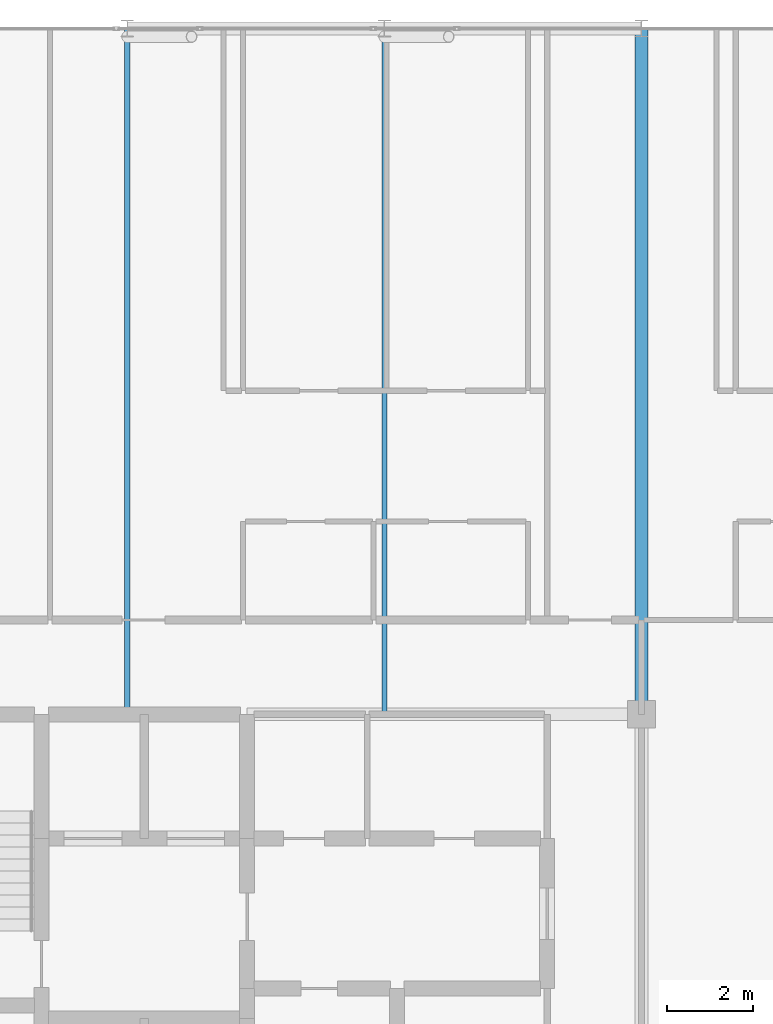
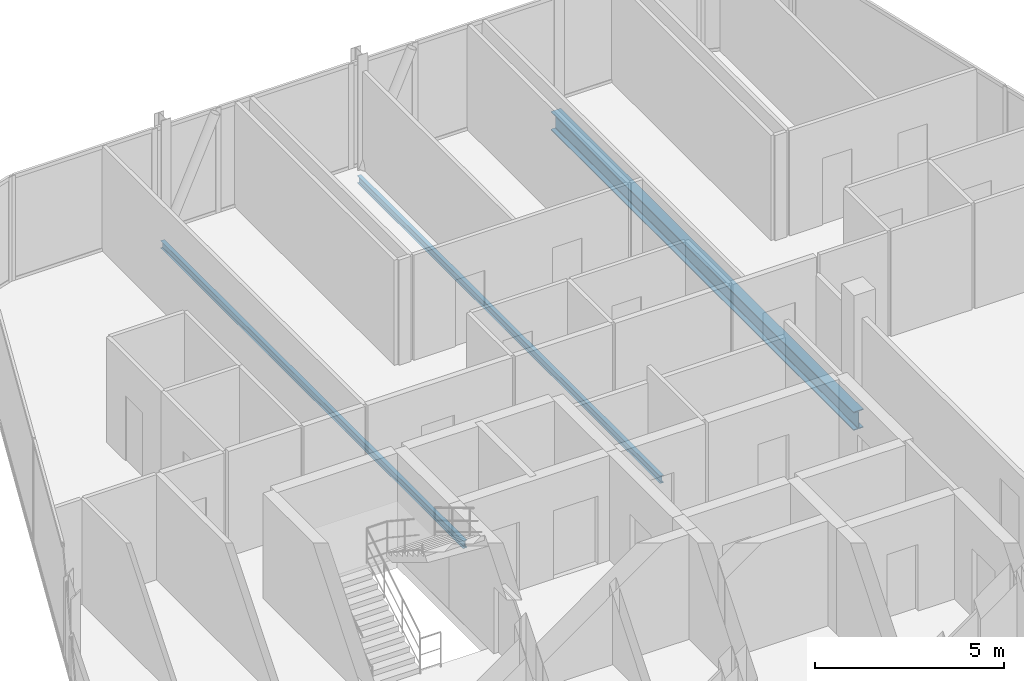
# One storey, part 16 of 27: 3 beams.
"""IFC4 building model written with IfcOpenShell, lengths in metres."""

from ifc_helpers import new_model, si_unit, direction, frame, origin, origin_2d, place, context, subcontext, project, spatial, i_section, extrude, material, material_profile, profile_set, type_object, element, save


model = new_model("IFC4")

# Units and contexts
model_context = context("Model", 3, precision=1e-05, world=origin(), true_north=direction((0.0, 1.0)))
body_context = subcontext(model_context, "Body", "Model", "MODEL_VIEW")
ifc_project = project(units=[si_unit("LENGTHUNIT", "METRE"), si_unit("AREAUNIT", "SQUARE_METRE"), si_unit("VOLUMEUNIT", "CUBIC_METRE"), si_unit("PLANEANGLEUNIT", "RADIAN"), si_unit("MASSUNIT", "GRAM", prefix="KILO")], contexts=[model_context])

# Site, building, storey
site_placement = place(None, origin())
site = spatial("IfcSite", under=ifc_project, at=site_placement, CompositionType="ELEMENT")
building_placement = place(site_placement, origin())
building = spatial("IfcBuilding", under=site, at=building_placement, Name="Keshet Zoharim Tower", CompositionType="ELEMENT")
storey_placement = place(building_placement, frame((0.0, 0.0, 284.300048828125)))
storey = spatial("IfcBuildingStorey", under=building, at=storey_placement, Name="L71", CompositionType="ELEMENT", Elevation=284.300048828125)

# Beams
ifc_material = material(Name="Steel S355", Category="steel")
ifc_material_profile_1 = material_profile(ifc_material, i_section(OverallWidth=0.1201171875, OverallDepth=0.239990234375, WebThickness=0.006103515625, FlangeThickness=0.009765625, FilletRadius=0.014892578125, at=origin_2d()), Name="IPE240")
ifc_profile_set_1 = profile_set([ifc_material_profile_1], Name="Steel S355")
beam_type_1 = type_object("IfcBeamType", Name="BM-JST-IP240", PredefinedType="JOIST", material=ifc_profile_set_1)
for number, where, z_axis, x_axis, name in (
    (1, (21.0, 37.89990234375, -0.429931640625), (0.0, 1.0, 0.0), (-1.0, 0.0, 0.0), "L71 Secondary Floor Joist J-001"),
    (2, (27.0, 37.89990234375, -0.429931640625), (0.0, 1.0, 0.0), (-1.0, 0.0, 0.0), "L71 Secondary Floor Joist J-002"),
):
    element("IfcBeam", number, at=place(storey_placement, frame(where, z_axis=z_axis, x_axis=x_axis)), inside=storey, type_object=beam_type_1, Name=name, PredefinedType="JOIST", context=body_context, shape_type="SweptSolid", body=[
        extrude(i_section(OverallWidth=0.1201171875, OverallDepth=0.239990234375, WebThickness=0.006103515625, FlangeThickness=0.009765625, FilletRadius=0.014892578125, at=origin_2d()), origin(), (0.0, 0.0, 1.0), 16.0),
    ])
ifc_material_profile_2 = material_profile(ifc_material, i_section(OverallWidth=0.300048828125, OverallDepth=0.60009765625, WebThickness=0.015380859375, FlangeThickness=0.030029296875, FilletRadius=0.027099609375, at=origin_2d()), Name="HEB600")
ifc_profile_set_2 = profile_set([ifc_material_profile_2], Name="Steel S355")
beam_type_2 = type_object("IfcBeamType", Name="BM-LNG-HB600", PredefinedType="BEAM", material=ifc_profile_set_2)
beam_placement = place(storey_placement, frame((33.0, 37.89990234375, -0.610107421875), z_axis=(0.0, 1.0, 0.0), x_axis=(-1.0, 0.0, 0.0)))
element("IfcBeam", 3, at=beam_placement, inside=storey, type_object=beam_type_2, Name="L71 Primary Girder Y-009", PredefinedType="BEAM", context=body_context, shape_type="SweptSolid", body=[
    extrude(i_section(OverallWidth=0.300048828125, OverallDepth=0.60009765625, WebThickness=0.015380859375, FlangeThickness=0.030029296875, FilletRadius=0.027099609375, at=origin_2d()), origin(), (0.0, 0.0, 1.0), 16.0),
])

save(model, "model.ifc")
